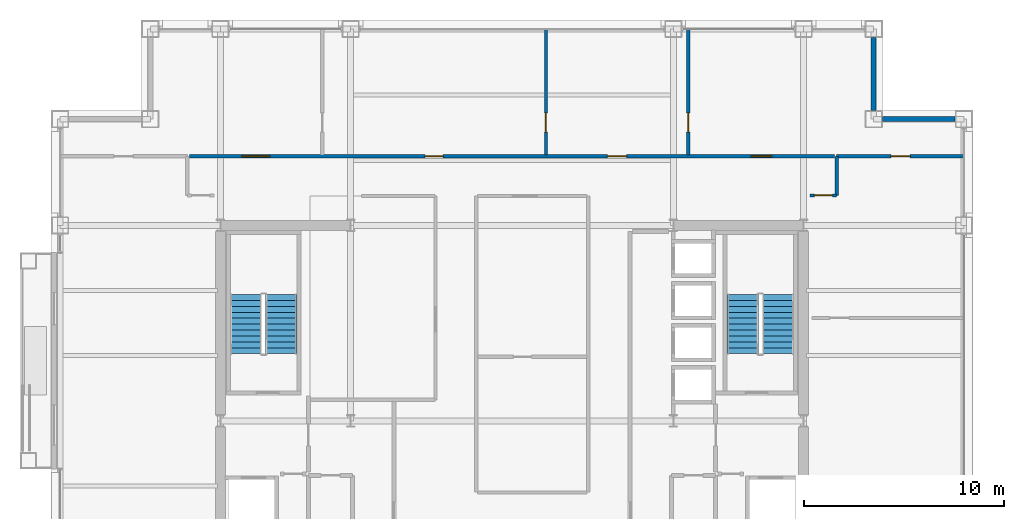
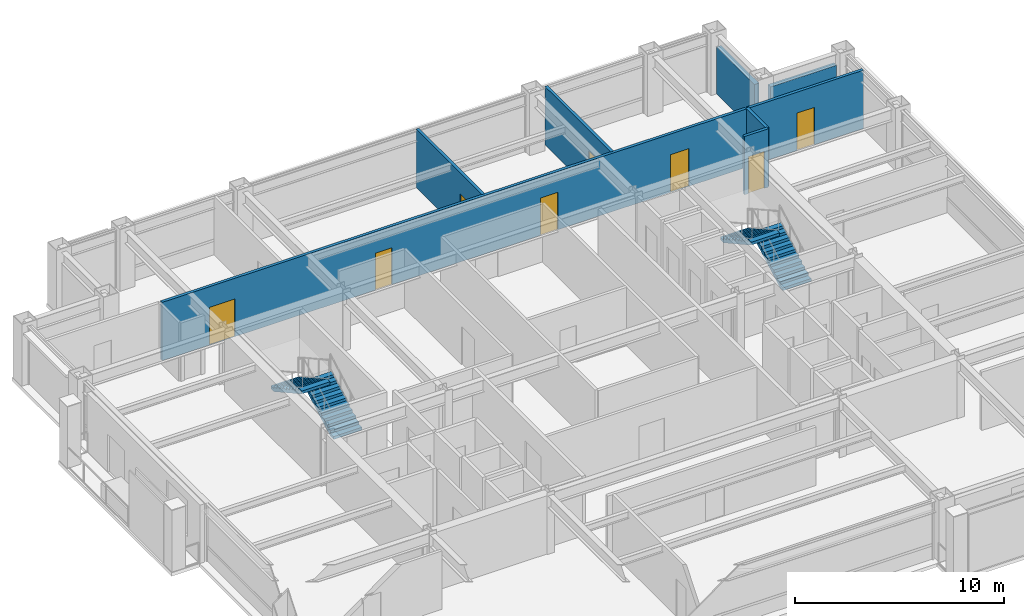
# One storey, part 28 of 31: 8 doors, 8 walls, 4 stair flights, 8 openings, 2 elements without a shape of their own.
"""IFC4 building model written with IfcOpenShell, lengths in metres."""

from ifc_helpers import new_model, si_unit, direction, frame, frame_2d, origin, place, context, subcontext, project, spatial, polyline, rectangle, outline, extrude, material, layer, layer_set, type_object, element, fill, aggregate, save


model = new_model("IFC4")

# Units and contexts
model_context = context("Model", 3, precision=1e-05, world=origin(), true_north=direction((0.0, 1.0)))
body_context = subcontext(model_context, "Body", "Model", "MODEL_VIEW")
ifc_project = project(units=[si_unit("LENGTHUNIT", "METRE"), si_unit("AREAUNIT", "SQUARE_METRE"), si_unit("VOLUMEUNIT", "CUBIC_METRE"), si_unit("PLANEANGLEUNIT", "RADIAN"), si_unit("MASSUNIT", "GRAM", prefix="KILO")], contexts=[model_context])

# Site, building, storey
site_placement = place(None, origin())
site = spatial("IfcSite", under=ifc_project, at=site_placement, CompositionType="ELEMENT")
building_placement = place(site_placement, origin())
building = spatial("IfcBuilding", under=site, at=building_placement, Name="Brelmoor Portico Tower", CompositionType="ELEMENT")
storey_placement = place(building_placement, frame((0.0, 0.0, 106.199951171875)))
storey = spatial("IfcBuildingStorey", under=building, at=storey_placement, Name="L27", CompositionType="ELEMENT", Elevation=106.199951171875)

# Walls
ifc_material_1 = material(Name="Precast Concrete C40 Insulated Facade Wall", Category="concrete")
ifc_layer_1 = layer(ifc_material_1, 0.25)
ifc_layer_set_1 = layer_set([ifc_layer_1], Name="Precast Concrete C40 Insulated Facade Wall")
wall_type_1 = type_object("IfcWallType", Name="WL-EXT-250", PredefinedType="STANDARD", material=ifc_layer_set_1)
for number, where, z_axis, x_axis, name in (
    (1, (18.485107421875, 15.050048828125, 0.0), (0.0, 0.0, 1.0), (1.0, 0.0, 0.0), "L27 Corner Notch Facade Wall NNEH1"),
    (2, (18.050048828125, 15.485107421875, 0.0), (0.0, 0.0, 1.0), (0.0, 1.0, 0.0), "L27 Corner Notch Facade Wall NNEV1"),
):
    element("IfcWall", number, at=place(storey_placement, frame(where, z_axis=z_axis, x_axis=x_axis)), inside=storey, type_object=wall_type_1, Name=name, PredefinedType="STANDARD", context=body_context, shape_type="SweptSolid", body=[
        extrude(rectangle(XDim=3.6298828125, YDim=0.25, at=frame_2d((1.81494140625, 0.0))), origin(), (0.0, 0.0, 1.0), 2.75),
    ])

# Wall, opening, door
ifc_material_2 = material(Name="Twin-Frame Acoustic Partition", Category="gypsum")
ifc_layer_2 = layer(ifc_material_2, 0.159912109375)
ifc_layer_set_2 = layer_set([ifc_layer_2], Name="Twin-Frame Acoustic Partition")
wall_type_2 = type_object("IfcWallType", Name="WL-PART-160", PredefinedType="PARTITIONING", material=ifc_layer_set_2)
wall_1_placement = place(storey_placement, frame((1.69091796875, 13.260009765625, 0.0), z_axis=(0.0, 0.0, 1.0), x_axis=(0.0, 1.0, 0.0)))
wall_1 = element("IfcWall", 3, at=wall_1_placement, inside=storey, type_object=wall_type_2, Name="L27 North Suite Partition 2", PredefinedType="PARTITIONING", context=body_context, shape_type="SweptSolid", body=[
    extrude(rectangle(XDim=6.300048828125, YDim=0.159912109375, at=frame_2d((3.14990234375, 0.0))), origin(), (0.0, 0.0, 1.0), 3.400146484375),
])
opening_1_placement = place(wall_1_placement, frame((1.14990234375, 0.0, 0.0)))
opening_1 = element("IfcOpeningElement", 4, at=opening_1_placement, cuts=wall_1, Name="Opening D-IN2", PredefinedType="OPENING", context=body_context, shape_type="SweptSolid", body=[
    extrude(rectangle(XDim=0.9599609375, YDim=2.179931640625, at=frame_2d((0.47998046875, 1.08984375))), frame((0.0, 0.08984375, 0.0), z_axis=(0.0, -1.0, 0.0), x_axis=(1.0, 0.0, 0.0)), (0.0, 0.0, 1.0), 0.179931640625),
])
ifc_material_3 = material(Name="Lacquered Timber Suite Door", Category="wood")
door_type_1 = type_object("IfcDoorType", Name="DR-INT-950", OperationType="NOTDEFINED", PredefinedType="DOOR", material=ifc_material_3)
door_1_placement = place(opening_1_placement, origin())
door_1 = element("IfcDoor", 5, at=door_1_placement, inside=storey, type_object=door_type_1, Name="D-1196 L27 North Suite Connecting Door 2", OperationType="SINGLE_SWING_LEFT", OverallHeight=2.179931640625, OverallWidth=0.9599609375, PredefinedType="DOOR", context=body_context, shape_type="SweptSolid", body=[
    extrude(rectangle(XDim=0.9599609375, YDim=2.179931640625, at=frame_2d((0.47998046875, 1.08984375))), frame((0.0, 0.02490234375, 0.0), z_axis=(0.0, -1.0, 0.0), x_axis=(1.0, 0.0, 0.0)), (0.0, 0.0, 1.0), 0.050048828125),
])
fill(opening_1, door_1)

wall_2_placement = place(storey_placement, frame((8.793212890625, 13.260009765625, 0.0), z_axis=(0.0, 0.0, 1.0), x_axis=(0.0, 1.0, 0.0)))
wall_2 = element("IfcWall", 6, at=wall_2_placement, inside=storey, type_object=wall_type_2, Name="L27 North Suite Partition 3", PredefinedType="PARTITIONING", context=body_context, shape_type="SweptSolid", body=[
    extrude(rectangle(XDim=6.300048828125, YDim=0.159912109375, at=frame_2d((3.14990234375, 0.0))), origin(), (0.0, 0.0, 1.0), 3.400146484375),
])
opening_2_placement = place(wall_2_placement, frame((1.14990234375, 0.0, 0.0)))
opening_2 = element("IfcOpeningElement", 7, at=opening_2_placement, cuts=wall_2, Name="Opening D-IN2", PredefinedType="OPENING", context=body_context, shape_type="SweptSolid", body=[
    extrude(rectangle(XDim=0.9599609375, YDim=2.179931640625, at=frame_2d((0.47998046875, 1.08984375))), frame((0.0, 0.08984375, 0.0), z_axis=(0.0, -1.0, 0.0), x_axis=(1.0, 0.0, 0.0)), (0.0, 0.0, 1.0), 0.179931640625),
])
door_2_placement = place(opening_2_placement, origin())
door_2 = element("IfcDoor", 8, at=door_2_placement, inside=storey, type_object=door_type_1, Name="D-1197 L27 North Suite Connecting Door 3", OperationType="SINGLE_SWING_RIGHT", OverallHeight=2.179931640625, OverallWidth=0.9599609375, PredefinedType="DOOR", context=body_context, shape_type="SweptSolid", body=[
    extrude(rectangle(XDim=0.9599609375, YDim=2.179931640625, at=frame_2d((0.47998046875, 1.08984375))), frame((0.0, 0.02490234375, 0.0), z_axis=(0.0, -1.0, 0.0), x_axis=(1.0, 0.0, 0.0)), (0.0, 0.0, 1.0), 0.050048828125),
])
fill(opening_2, door_2)

# Wall, openings, doors
wall_3_placement = place(storey_placement, frame((-16.10009765625, 13.199951171875, 0.0), z_axis=(0.0, 0.0, 1.0), x_axis=(1.0, 0.0, 0.0)))
wall_3 = element("IfcWall", 9, at=wall_3_placement, inside=storey, type_object=wall_type_2, Name="L27 North Corridor Partition", PredefinedType="PARTITIONING", context=body_context, shape_type="SweptSolid", body=[
    extrude(rectangle(XDim=32.2001953125, YDim=0.159912109375, at=frame_2d((16.10009765625, 0.0))), origin(), (0.0, 0.0, 1.0), 3.400146484375),
])
opening_3_placement = place(wall_3_placement, frame((2.615234375, 0.0, 0.0)))
opening_3 = element("IfcOpeningElement", 10, at=opening_3_placement, cuts=wall_3, Name="Opening D-SU2", PredefinedType="OPENING", context=body_context, shape_type="SweptSolid", body=[
    extrude(rectangle(XDim=1.39990234375, YDim=2.199951171875, at=frame_2d((0.699951171875, 1.10009765625))), frame((0.0, 0.08984375, 0.0), z_axis=(0.0, -1.0, 0.0), x_axis=(1.0, 0.0, 0.0)), (0.0, 0.0, 1.0), 0.179931640625),
])
opening_4_placement = place(wall_3_placement, frame((11.7607421875, 0.0, 0.0)))
opening_4 = element("IfcOpeningElement", 11, at=opening_4_placement, cuts=wall_3, Name="Opening D-IN1", PredefinedType="OPENING", context=body_context, shape_type="SweptSolid", body=[
    extrude(rectangle(XDim=0.89990234375, YDim=2.14990234375, at=frame_2d((0.449951171875, 1.074951171875))), frame((0.0, 0.08984375, 0.0), z_axis=(0.0, -1.0, 0.0), x_axis=(1.0, 0.0, 0.0)), (0.0, 0.0, 1.0), 0.179931640625),
])
opening_5_placement = place(wall_3_placement, frame((20.862060546875, 0.0, 0.0)))
opening_5 = element("IfcOpeningElement", 12, at=opening_5_placement, cuts=wall_3, Name="Opening D-IN2", PredefinedType="OPENING", context=body_context, shape_type="SweptSolid", body=[
    extrude(rectangle(XDim=0.9599609375, YDim=2.179931640625, at=frame_2d((0.47998046875, 1.08984375))), frame((0.0, 0.08984375, 0.0), z_axis=(0.0, -1.0, 0.0), x_axis=(1.0, 0.0, 0.0)), (0.0, 0.0, 1.0), 0.179931640625),
])
opening_6_placement = place(wall_3_placement, frame((28.03662109375, 0.0, 0.0)))
opening_6 = element("IfcOpeningElement", 13, at=opening_6_placement, cuts=wall_3, Name="Opening D-OF1", PredefinedType="OPENING", context=body_context, shape_type="SweptSolid", body=[
    extrude(rectangle(XDim=1.02001953125, YDim=2.199951171875, at=frame_2d((0.510009765625, 1.10009765625))), frame((0.0, 0.08984375, 0.0), z_axis=(0.0, -1.0, 0.0), x_axis=(1.0, 0.0, 0.0)), (0.0, 0.0, 1.0), 0.179931640625),
])
door_type_2 = type_object("IfcDoorType", Name="DR-INT-900", OperationType="NOTDEFINED", PredefinedType="DOOR", material=ifc_material_3)
door_3_placement = place(opening_4_placement, origin())
door_3 = element("IfcDoor", 14, at=door_3_placement, inside=storey, type_object=door_type_2, Name="D-1192 L27 North Project Mail Room 2 Door", OperationType="SINGLE_SWING_LEFT", OverallHeight=2.14990234375, OverallWidth=0.89990234375, PredefinedType="DOOR", context=body_context, shape_type="SweptSolid", body=[
    extrude(rectangle(XDim=0.89990234375, YDim=2.14990234375, at=frame_2d((0.449951171875, 1.074951171875))), frame((0.0, 0.02490234375, 0.0), z_axis=(0.0, -1.0, 0.0), x_axis=(1.0, 0.0, 0.0)), (0.0, 0.0, 1.0), 0.050048828125),
])
fill(opening_4, door_3)
door_4_placement = place(opening_5_placement, origin())
door_4 = element("IfcDoor", 15, at=door_4_placement, inside=storey, type_object=door_type_1, Name="D-1193 L27 North Design Workshop 3 Door", OperationType="SINGLE_SWING_RIGHT", OverallHeight=2.179931640625, OverallWidth=0.9599609375, PredefinedType="DOOR", context=body_context, shape_type="SweptSolid", body=[
    extrude(rectangle(XDim=0.9599609375, YDim=2.179931640625, at=frame_2d((0.47998046875, 1.08984375))), frame((0.0, 0.02490234375, 0.0), z_axis=(0.0, -1.0, 0.0), x_axis=(1.0, 0.0, 0.0)), (0.0, 0.0, 1.0), 0.050048828125),
])
fill(opening_5, door_4)
ifc_material_4 = material(Name="Hardwood Acoustic Veneer Door", Category="wood")
door_type_3 = type_object("IfcDoorType", Name="DR-OFFICE-1000", OperationType="NOTDEFINED", PredefinedType="DOOR", material=ifc_material_4)
door_5_placement = place(opening_6_placement, origin())
door_5 = element("IfcDoor", 16, at=door_5_placement, inside=storey, type_object=door_type_3, Name="D-1194 L27 North Client Reception Room 4 Door", OperationType="SINGLE_SWING_LEFT", OverallHeight=2.199951171875, OverallWidth=1.02001953125, PredefinedType="DOOR", context=body_context, shape_type="SweptSolid", body=[
    extrude(rectangle(XDim=1.02001953125, YDim=2.199951171875, at=frame_2d((0.510009765625, 1.10009765625))), frame((0.0, 0.02490234375, 0.0), z_axis=(0.0, -1.0, 0.0), x_axis=(1.0, 0.0, 0.0)), (0.0, 0.0, 1.0), 0.050048828125),
])
fill(opening_6, door_5)
ifc_material_5 = material(Name="Double-Leaf Acoustic Suite Door", Category="timber")
door_type_4 = type_object("IfcDoorType", Name="DR-SUITE-1400", OperationType="NOTDEFINED", PredefinedType="DOOR", material=ifc_material_5)
door_6_placement = place(opening_3_placement, origin())
door_6 = element("IfcDoor", 17, at=door_6_placement, inside=storey, type_object=door_type_4, Name="D-1191 L27 North Partner Cellular Office 1 Door", OperationType="DOUBLE_DOOR_SINGLE_SWING", OverallHeight=2.199951171875, OverallWidth=1.39990234375, PredefinedType="DOOR", context=body_context, shape_type="SweptSolid", body=[
    extrude(rectangle(XDim=1.39990234375, YDim=2.199951171875, at=frame_2d((0.699951171875, 1.10009765625))), frame((0.0, 0.02490234375, 0.0), z_axis=(0.0, -1.0, 0.0), x_axis=(1.0, 0.0, 0.0)), (0.0, 0.0, 1.0), 0.050048828125),
])
fill(opening_3, door_6)

# Wall, opening, door
wall_4_placement = place(storey_placement, frame((16.199951171875, 13.199951171875, 0.0), z_axis=(0.0, 0.0, 1.0), x_axis=(1.0, 0.0, 0.0)))
wall_4 = element("IfcWall", 18, at=wall_4_placement, inside=storey, type_object=wall_type_2, Name="L27 North Wing Closure ER", PredefinedType="PARTITIONING", context=body_context, shape_type="SweptSolid", body=[
    extrude(rectangle(XDim=6.360107421875, YDim=0.159912109375, at=frame_2d((3.18017578125, 0.0))), origin(), (0.0, 0.0, 1.0), 3.400146484375),
])
opening_7_placement = place(wall_4_placement, frame((2.699951171875, 0.0, 0.0)))
opening_7 = element("IfcOpeningElement", 19, at=opening_7_placement, cuts=wall_4, Name="Opening D-IN2", PredefinedType="OPENING", context=body_context, shape_type="SweptSolid", body=[
    extrude(rectangle(XDim=0.9599609375, YDim=2.179931640625, at=frame_2d((0.47998046875, 1.08984375))), frame((0.0, 0.08984375, 0.0), z_axis=(0.0, -1.0, 0.0), x_axis=(1.0, 0.0, 0.0)), (0.0, 0.0, 1.0), 0.179931640625),
])
door_7_placement = place(opening_7_placement, origin())
door_7 = element("IfcDoor", 20, at=door_7_placement, inside=storey, type_object=door_type_1, Name="D-1198 L27 ER Wing North Suite Door", OperationType="SINGLE_SWING_LEFT", OverallHeight=2.179931640625, OverallWidth=0.9599609375, PredefinedType="DOOR", context=body_context, shape_type="SweptSolid", body=[
    extrude(rectangle(XDim=0.9599609375, YDim=2.179931640625, at=frame_2d((0.47998046875, 1.08984375))), frame((0.0, 0.02490234375, 0.0), z_axis=(0.0, -1.0, 0.0), x_axis=(1.0, 0.0, 0.0)), (0.0, 0.0, 1.0), 0.050048828125),
])
fill(opening_7, door_7)

wall_5_placement = place(storey_placement, frame((14.8798828125, 11.25, 0.0), z_axis=(0.0, 0.0, 1.0), x_axis=(1.0, 0.0, 0.0)))
wall_5 = element("IfcWall", 21, at=wall_5_placement, inside=storey, type_object=wall_type_2, Name="L27 E Wing North Entry Wall", PredefinedType="PARTITIONING", context=body_context, shape_type="SweptSolid", body=[
    extrude(rectangle(XDim=1.320068359375, YDim=0.159912109375, at=frame_2d((0.66015625, 0.0))), origin(), (0.0, 0.0, 1.0), 3.400146484375),
])
opening_8_placement = place(wall_5_placement, frame((0.2099609375, 0.0, 0.0)))
opening_8 = element("IfcOpeningElement", 22, at=opening_8_placement, cuts=wall_5, Name="Opening D-IN1", PredefinedType="OPENING", context=body_context, shape_type="SweptSolid", body=[
    extrude(rectangle(XDim=0.89990234375, YDim=2.14990234375, at=frame_2d((0.449951171875, 1.074951171875))), frame((0.0, 0.08984375, 0.0), z_axis=(0.0, -1.0, 0.0), x_axis=(1.0, 0.0, 0.0)), (0.0, 0.0, 1.0), 0.179931640625),
])
door_8_placement = place(opening_8_placement, origin())
door_8 = element("IfcDoor", 23, at=door_8_placement, inside=storey, type_object=door_type_2, Name="D-1212 L27 E Wing Entry Door", OperationType="SINGLE_SWING_LEFT", OverallHeight=2.14990234375, OverallWidth=0.89990234375, PredefinedType="DOOR", context=body_context, shape_type="SweptSolid", body=[
    extrude(rectangle(XDim=0.89990234375, YDim=2.14990234375, at=frame_2d((0.449951171875, 1.074951171875))), frame((0.0, 0.02490234375, 0.0), z_axis=(0.0, -1.0, 0.0), x_axis=(1.0, 0.0, 0.0)), (0.0, 0.0, 1.0), 0.050048828125),
])
fill(opening_8, door_8)

# Wall
wall_6_placement = place(storey_placement, frame((16.199951171875, 11.25, 0.0), z_axis=(0.0, 0.0, 1.0), x_axis=(0.0, 1.0, 0.0)))
element("IfcWall", 24, at=wall_6_placement, inside=storey, type_object=wall_type_2, Name="L27 E Corridor End Closure", PredefinedType="PARTITIONING", context=body_context, shape_type="SweptSolid", body=[
    extrude(rectangle(XDim=1.949951171875, YDim=0.159912109375, at=frame_2d((0.97509765625, 0.0))), origin(), (0.0, 0.0, 1.0), 3.400146484375),
])

# Stair, stair flights
ifc_material_6 = material(Name="Concrete C40", Category="concrete")
stair_type_1 = type_object("IfcStairType", Name="ST-CORE-W", PredefinedType="HALF_TURN_STAIR", material=ifc_material_6)
stair_1_placement = place(storey_placement, origin())
stair_1 = element("IfcStair", 25, at=stair_1_placement, inside=storey, type_object=stair_type_1, Name="L27 Protected Core Exit Stair ST-W", PredefinedType="HALF_TURN_STAIR")
stair_flight_type = type_object("IfcStairFlightType", Name="SF-CORE-1850", PredefinedType="STRAIGHT", material=ifc_material_6)
stair_flight_1_placement = place(storey_placement, frame((-11.510009765625, 3.35009765625, 0.0), z_axis=(0.0, 0.0, 1.0), x_axis=(0.0, 1.0, 0.0)))
stair_flight_1 = element("IfcStairFlight", 26, at=stair_flight_1_placement, type_object=stair_flight_type, Name="ST-W flight 1", NumberOfRisers=11, NumberOfTreads=10, PredefinedType="STRAIGHT", RiserHeight=0.163636364, TreadLength=0.295, context=body_context, shape_type="SweptSolid", body=[
    extrude(outline(polyline([(0.0, 0.0), (0.0, 0.16357421875), (0.294921875, 0.16357421875), (0.294921875, 0.327392578125), (0.590087890625, 0.327392578125), (0.590087890625, 0.490966796875), (0.885009765625, 0.490966796875), (0.885009765625, 0.654541015625), (1.179931640625, 0.654541015625), (1.179931640625, 0.818115234375), (1.47509765625, 0.818115234375), (1.47509765625, 0.98193359375), (1.77001953125, 0.98193359375), (1.77001953125, 1.1455078125), (2.06494140625, 1.1455078125), (2.06494140625, 1.30908203125), (2.360107421875, 1.30908203125), (2.360107421875, 1.47265625), (2.655029296875, 1.47265625), (2.655029296875, 1.636474609375), (2.949951171875, 1.636474609375), (2.949951171875, 1.800048828125), (2.949951171875, 1.46484375), (0.30908203125, 0.0), (0.0, 0.0)])), frame((0.0, 0.780029296875, 0.0), z_axis=(0.0, -1.0, 0.0), x_axis=(1.0, 0.0, 0.0)), (0.0, 0.0, 1.0), 1.56005859375),
])
stair_flight_2_placement = place(storey_placement, frame((-13.27001953125, 6.300048828125, 1.800048828125), z_axis=(0.0, 0.0, 1.0), x_axis=(0.0, -1.0, 0.0)))
stair_flight_2 = element("IfcStairFlight", 27, at=stair_flight_2_placement, type_object=stair_flight_type, Name="ST-W flight 2", NumberOfRisers=11, NumberOfTreads=10, PredefinedType="STRAIGHT", RiserHeight=0.163636364, TreadLength=0.295, context=body_context, shape_type="SweptSolid", body=[
    extrude(outline(polyline([(0.0, 0.0), (0.0, 0.16357421875), (0.294921875, 0.16357421875), (0.294921875, 0.327392578125), (0.590087890625, 0.327392578125), (0.590087890625, 0.490966796875), (0.885009765625, 0.490966796875), (0.885009765625, 0.654541015625), (1.179931640625, 0.654541015625), (1.179931640625, 0.818115234375), (1.47509765625, 0.818115234375), (1.47509765625, 0.98193359375), (1.77001953125, 0.98193359375), (1.77001953125, 1.1455078125), (2.06494140625, 1.1455078125), (2.06494140625, 1.30908203125), (2.360107421875, 1.30908203125), (2.360107421875, 1.47265625), (2.655029296875, 1.47265625), (2.655029296875, 1.636474609375), (2.949951171875, 1.636474609375), (2.949951171875, 1.800048828125), (2.949951171875, 1.46484375), (0.30908203125, 0.0), (0.0, 0.0)])), frame((0.0, 0.780029296875, 0.0), z_axis=(0.0, -1.0, 0.0), x_axis=(1.0, 0.0, 0.0)), (0.0, 0.0, 1.0), 1.56005859375),
])
aggregate(stair_1, [stair_flight_1, stair_flight_2])

stair_type_2 = type_object("IfcStairType", Name="ST-CORE-E", PredefinedType="HALF_TURN_STAIR", material=ifc_material_6)
stair_2_placement = place(storey_placement, origin())
stair_2 = element("IfcStair", 28, at=stair_2_placement, inside=storey, type_object=stair_type_2, Name="L27 Protected Core Exit Stair ST-E", PredefinedType="HALF_TURN_STAIR")
stair_flight_3_placement = place(storey_placement, frame((13.27001953125, 3.35009765625, 0.0), z_axis=(0.0, 0.0, 1.0), x_axis=(0.0, 1.0, 0.0)))
stair_flight_3 = element("IfcStairFlight", 29, at=stair_flight_3_placement, type_object=stair_flight_type, Name="ST-E flight 1", NumberOfRisers=11, NumberOfTreads=10, PredefinedType="STRAIGHT", RiserHeight=0.163636364, TreadLength=0.295, context=body_context, shape_type="SweptSolid", body=[
    extrude(outline(polyline([(0.0, 0.0), (0.0, 0.16357421875), (0.294921875, 0.16357421875), (0.294921875, 0.327392578125), (0.590087890625, 0.327392578125), (0.590087890625, 0.490966796875), (0.885009765625, 0.490966796875), (0.885009765625, 0.654541015625), (1.179931640625, 0.654541015625), (1.179931640625, 0.818115234375), (1.47509765625, 0.818115234375), (1.47509765625, 0.98193359375), (1.77001953125, 0.98193359375), (1.77001953125, 1.1455078125), (2.06494140625, 1.1455078125), (2.06494140625, 1.30908203125), (2.360107421875, 1.30908203125), (2.360107421875, 1.47265625), (2.655029296875, 1.47265625), (2.655029296875, 1.636474609375), (2.949951171875, 1.636474609375), (2.949951171875, 1.800048828125), (2.949951171875, 1.46484375), (0.30908203125, 0.0), (0.0, 0.0)])), frame((0.0, 0.780029296875, 0.0), z_axis=(0.0, -1.0, 0.0), x_axis=(1.0, 0.0, 0.0)), (0.0, 0.0, 1.0), 1.56005859375),
])
stair_flight_4_placement = place(storey_placement, frame((11.510009765625, 6.300048828125, 1.800048828125), z_axis=(0.0, 0.0, 1.0), x_axis=(0.0, -1.0, 0.0)))
stair_flight_4 = element("IfcStairFlight", 30, at=stair_flight_4_placement, type_object=stair_flight_type, Name="ST-E flight 2", NumberOfRisers=11, NumberOfTreads=10, PredefinedType="STRAIGHT", RiserHeight=0.163636364, TreadLength=0.295, context=body_context, shape_type="SweptSolid", body=[
    extrude(outline(polyline([(0.0, 0.0), (0.0, 0.16357421875), (0.294921875, 0.16357421875), (0.294921875, 0.327392578125), (0.590087890625, 0.327392578125), (0.590087890625, 0.490966796875), (0.885009765625, 0.490966796875), (0.885009765625, 0.654541015625), (1.179931640625, 0.654541015625), (1.179931640625, 0.818115234375), (1.47509765625, 0.818115234375), (1.47509765625, 0.98193359375), (1.77001953125, 0.98193359375), (1.77001953125, 1.1455078125), (2.06494140625, 1.1455078125), (2.06494140625, 1.30908203125), (2.360107421875, 1.30908203125), (2.360107421875, 1.47265625), (2.655029296875, 1.47265625), (2.655029296875, 1.636474609375), (2.949951171875, 1.636474609375), (2.949951171875, 1.800048828125), (2.949951171875, 1.46484375), (0.30908203125, 0.0), (0.0, 0.0)])), frame((0.0, 0.780029296875, 0.0), z_axis=(0.0, -1.0, 0.0), x_axis=(1.0, 0.0, 0.0)), (0.0, 0.0, 1.0), 1.56005859375),
])
aggregate(stair_2, [stair_flight_3, stair_flight_4])

save(model, "model.ifc")
